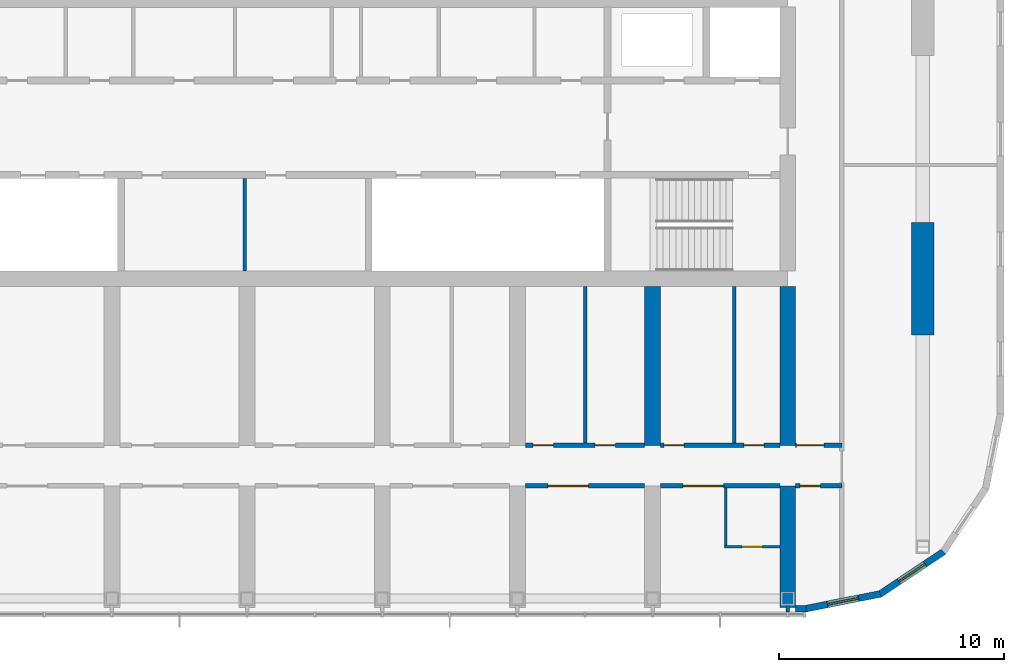
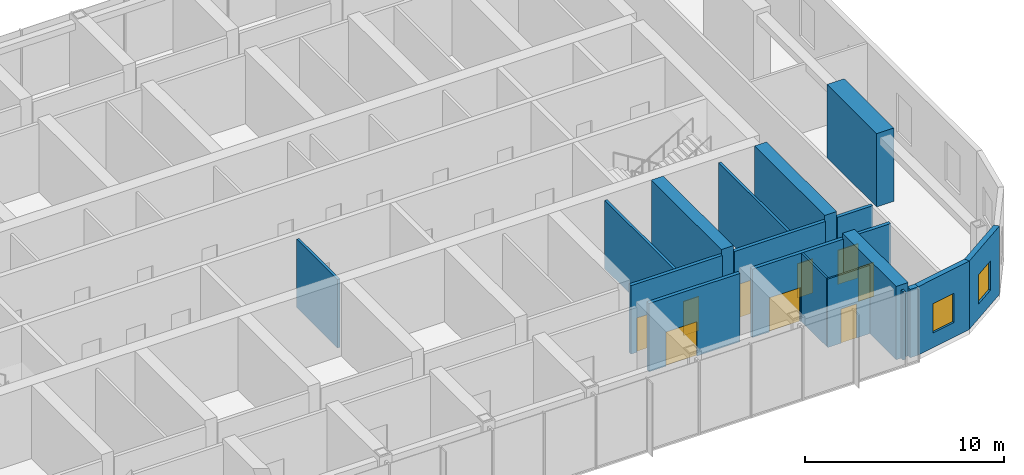
# One storey, part 12 of 21: 19 walls, 9 doors, 2 windows, 11 openings.
"""IFC4 building model written with IfcOpenShell, lengths in metres."""

from ifc_helpers import new_model, si_unit, direction, frame, frame_2d, origin, place, context, subcontext, project, spatial, polyline, rectangle, outline, extrude, material, layer, layer_set, type_object, element, fill, save


model = new_model("IFC4")

# Units and contexts
model_context = context("Model", 3, precision=1e-05, world=origin(), true_north=direction((0.0, 1.0)))
body_context = subcontext(model_context, "Body", "Model", "MODEL_VIEW")
ifc_project = project(units=[si_unit("LENGTHUNIT", "METRE"), si_unit("AREAUNIT", "SQUARE_METRE"), si_unit("VOLUMEUNIT", "CUBIC_METRE"), si_unit("PLANEANGLEUNIT", "RADIAN"), si_unit("MASSUNIT", "GRAM", prefix="KILO")], contexts=[model_context])

# Site, building, storey
site_placement = place(None, origin())
site = spatial("IfcSite", under=ifc_project, at=site_placement, CompositionType="ELEMENT")
building_placement = place(site_placement, origin())
building = spatial("IfcBuilding", under=site, at=building_placement, Name="Orbita Commons", CompositionType="ELEMENT")
storey_placement = place(building_placement, frame((0.0, 0.0, 257.800048828125)))
storey = spatial("IfcBuildingStorey", under=building, at=storey_placement, Name="L64", CompositionType="ELEMENT", Elevation=257.800048828125)

# Wall
ifc_material_1 = material(Name="Concrete blockwork", Category="masonry")
ifc_layer_1 = layer(ifc_material_1, 0.14990234375)
ifc_layer_set_1 = layer_set([ifc_layer_1], Name="Concrete blockwork")
wall_type_1 = type_object("IfcWallType", Name="Core partition 150 blockwork", PredefinedType="SOLIDWALL", material=ifc_layer_set_1)
wall_1_placement = place(storey_placement, frame((41.89990234375, 26.14990234375, 0.0), z_axis=(0.0, 0.0, 1.0), x_axis=(0.0, 1.0, 0.0)))
element("IfcWall", 1, at=wall_1_placement, inside=storey, type_object=wall_type_1, Name="Core partition 150 blockwork L64", PredefinedType="SOLIDWALL", context=body_context, shape_type="SweptSolid", body=[
    extrude(rectangle(XDim=4.10009765625, YDim=0.14990234375, at=frame_2d((2.050048828125, 0.0))), origin(), (0.0, 0.0, 1.0), 4.199951171875),
])

# Wall, opening, door
ifc_material_2 = material(Name="Concrete blockwork", Category="masonry")
ifc_layer_2 = layer(ifc_material_2, 0.199951171875)
ifc_layer_set_2 = layer_set([ifc_layer_2], Name="Concrete blockwork")
wall_type_2 = type_object("IfcWallType", Name="Corridor wall 200 blockwork", PredefinedType="SOLIDWALL", material=ifc_layer_set_2)
wall_2_placement = place(storey_placement, frame((54.35009765625, 16.60009765625, 0.0), z_axis=(0.0, 0.0, 1.0), x_axis=(1.0, 0.0, 0.0)))
wall_2 = element("IfcWall", 2, at=wall_2_placement, inside=storey, type_object=wall_type_2, Name="Corridor wall 200 blockwork L64", PredefinedType="SOLIDWALL", context=body_context, shape_type="SweptSolid", body=[
    extrude(rectangle(XDim=5.2998046875, YDim=0.199951171875, at=frame_2d((2.64990234375, 0.0))), origin(), (0.0, 0.0, 1.0), 4.199951171875),
])
opening_1_placement = place(wall_2_placement, frame((1.0, 0.0, 0.0)))
opening_1 = element("IfcOpeningElement", 3, at=opening_1_placement, cuts=wall_2, Name="Opening D07", PredefinedType="OPENING", context=body_context, shape_type="SweptSolid", body=[
    extrude(rectangle(XDim=1.800048828125, YDim=2.10009765625, at=frame_2d((0.89990234375, 1.050048828125))), frame((0.0, 0.10986328125, 0.0), z_axis=(0.0, -1.0, 0.0), x_axis=(1.0, 0.0, 0.0)), (0.0, 0.0, 1.0), 0.219970703125),
])
ifc_material_3 = material(Name="Steel-faced fire door leaf", Category="steel")
door_type_1 = type_object("IfcDoorType", Name="Double corridor door 20 min 1800x2100", OperationType="DOUBLE_DOOR_SINGLE_SWING", PredefinedType="DOOR", material=ifc_material_3)
door_1_placement = place(opening_1_placement, origin())
door_1 = element("IfcDoor", 4, at=door_1_placement, inside=storey, type_object=door_type_1, Name="Quiet study room L64-SF7 doors", OperationType="DOUBLE_DOOR_SINGLE_SWING", OverallHeight=2.10009765625, OverallWidth=1.800048828125, PredefinedType="DOOR", context=body_context, shape_type="SweptSolid", body=[
    extrude(rectangle(XDim=1.800048828125, YDim=2.10009765625, at=frame_2d((0.89990234375, 1.050048828125))), frame((0.0, 0.02490234375, 0.0), z_axis=(0.0, -1.0, 0.0), x_axis=(1.0, 0.0, 0.0)), (0.0, 0.0, 1.0), 0.050048828125),
])
fill(opening_1, door_1)

wall_3_placement = place(storey_placement, frame((60.35009765625, 16.60009765625, 0.0), z_axis=(0.0, 0.0, 1.0), x_axis=(1.0, 0.0, 0.0)))
wall_3 = element("IfcWall", 5, at=wall_3_placement, inside=storey, type_object=wall_type_2, Name="Corridor wall 200 blockwork L64", PredefinedType="SOLIDWALL", context=body_context, shape_type="SweptSolid", body=[
    extrude(rectangle(XDim=5.2998046875, YDim=0.199951171875, at=frame_2d((2.64990234375, 0.0))), origin(), (0.0, 0.0, 1.0), 4.199951171875),
])
opening_2_placement = place(wall_3_placement, frame((1.0, 0.0, 0.0)))
opening_2 = element("IfcOpeningElement", 6, at=opening_2_placement, cuts=wall_3, Name="Opening D07", PredefinedType="OPENING", context=body_context, shape_type="SweptSolid", body=[
    extrude(rectangle(XDim=1.800048828125, YDim=2.10009765625, at=frame_2d((0.89990234375, 1.050048828125))), frame((0.0, 0.10986328125, 0.0), z_axis=(0.0, -1.0, 0.0), x_axis=(1.0, 0.0, 0.0)), (0.0, 0.0, 1.0), 0.219970703125),
])
door_2_placement = place(opening_2_placement, origin())
door_2 = element("IfcDoor", 7, at=door_2_placement, inside=storey, type_object=door_type_1, Name="Map reading room L64-SF8 doors", OperationType="DOUBLE_DOOR_SINGLE_SWING", OverallHeight=2.10009765625, OverallWidth=1.800048828125, PredefinedType="DOOR", context=body_context, shape_type="SweptSolid", body=[
    extrude(rectangle(XDim=1.800048828125, YDim=2.10009765625, at=frame_2d((0.89990234375, 1.050048828125))), frame((0.0, 0.02490234375, 0.0), z_axis=(0.0, -1.0, 0.0), x_axis=(1.0, 0.0, 0.0)), (0.0, 0.0, 1.0), 0.050048828125),
])
fill(opening_2, door_2)

wall_4_placement = place(storey_placement, frame((66.35009765625, 16.60009765625, 0.0), z_axis=(0.0, 0.0, 1.0), x_axis=(1.0, 0.0, 0.0)))
wall_4 = element("IfcWall", 8, at=wall_4_placement, inside=storey, type_object=wall_type_2, Name="Corridor wall 200 blockwork L64", PredefinedType="SOLIDWALL", context=body_context, shape_type="SweptSolid", body=[
    extrude(rectangle(XDim=2.0498046875, YDim=0.199951171875, at=frame_2d((1.02490234375, 0.0))), origin(), (0.0, 0.0, 1.0), 4.199951171875),
])
opening_3_placement = place(wall_4_placement, frame((0.199951171875, 0.0, 0.0)))
opening_3 = element("IfcOpeningElement", 9, at=opening_3_placement, cuts=wall_4, Name="Opening D05", PredefinedType="OPENING", context=body_context, shape_type="SweptSolid", body=[
    extrude(rectangle(XDim=0.89990234375, YDim=2.10009765625, at=frame_2d((0.449951171875, 1.050048828125))), frame((0.0, 0.10986328125, 0.0), z_axis=(0.0, -1.0, 0.0), x_axis=(1.0, 0.0, 0.0)), (0.0, 0.0, 1.0), 0.219970703125),
])
ifc_material_4 = material(Name="Steel-faced fire door leaf", Category="steel")
door_type_2 = type_object("IfcDoorType", Name="Service door 20 min 900x2100", OperationType="SINGLE_SWING_LEFT", PredefinedType="DOOR", material=ifc_material_4)
door_3_placement = place(opening_3_placement, origin())
door_3 = element("IfcDoor", 10, at=door_3_placement, inside=storey, type_object=door_type_2, Name="Linen store L64-KES door", OperationType="SINGLE_SWING_LEFT", OverallHeight=2.10009765625, OverallWidth=0.89990234375, PredefinedType="DOOR", context=body_context, shape_type="SweptSolid", body=[
    extrude(rectangle(XDim=0.89990234375, YDim=2.10009765625, at=frame_2d((0.449951171875, 1.050048828125))), frame((0.0, 0.02490234375, 0.0), z_axis=(0.0, -1.0, 0.0), x_axis=(1.0, 0.0, 0.0)), (0.0, 0.0, 1.0), 0.050048828125),
])
fill(opening_3, door_3)

# Wall, openings, doors
ifc_material_5 = material(Name="Hollow concrete block 200", Category="concrete")
ifc_layer_3 = layer(ifc_material_5, 0.199951171875)
ifc_layer_set_3 = layer_set([ifc_layer_3], Name="Hollow concrete block 200")
wall_type_3 = type_object("IfcWallType", Name="Corridor wall 200 hollow concrete block", PredefinedType="SOLIDWALL", material=ifc_layer_set_3)
wall_5_placement = place(storey_placement, frame((54.35009765625, 18.39990234375, 0.0), z_axis=(0.0, 0.0, 1.0), x_axis=(1.0, 0.0, 0.0)))
wall_5 = element("IfcWall", 11, at=wall_5_placement, inside=storey, type_object=wall_type_3, Name="Corridor wall 200 hollow concrete block L64", PredefinedType="SOLIDWALL", context=body_context, shape_type="SweptSolid", body=[
    extrude(rectangle(XDim=5.2998046875, YDim=0.199951171875, at=frame_2d((2.64990234375, 0.0))), origin(), (0.0, 0.0, 1.0), 4.199951171875),
])
opening_4_placement = place(wall_5_placement, frame((0.35009765625, 0.0, 0.0)))
opening_4 = element("IfcOpeningElement", 12, at=opening_4_placement, cuts=wall_5, Name="Opening D11", PredefinedType="OPENING", context=body_context, shape_type="SweptSolid", body=[
    extrude(rectangle(XDim=0.89990234375, YDim=2.10009765625, at=frame_2d((0.449951171875, 1.050048828125))), frame((0.0, 0.10986328125, 0.0), z_axis=(0.0, -1.0, 0.0), x_axis=(1.0, 0.0, 0.0)), (0.0, 0.0, 1.0), 0.219970703125),
])
opening_5_placement = place(wall_5_placement, frame((3.094970703125, 0.0, 0.0)))
opening_5 = element("IfcOpeningElement", 13, at=opening_5_placement, cuts=wall_5, Name="Opening D11", PredefinedType="OPENING", context=body_context, shape_type="SweptSolid", body=[
    extrude(rectangle(XDim=0.89990234375, YDim=2.10009765625, at=frame_2d((0.449951171875, 1.050048828125))), frame((0.0, 0.10986328125, 0.0), z_axis=(0.0, -1.0, 0.0), x_axis=(1.0, 0.0, 0.0)), (0.0, 0.0, 1.0), 0.219970703125),
])
ifc_material_6 = material(Name="Steel-faced fire door leaf", Category="steel")
door_type_3 = type_object("IfcDoorType", Name="Corridor door 20 min 900x2100", OperationType="SINGLE_SWING_LEFT", PredefinedType="DOOR", material=ifc_material_6)
door_4_placement = place(opening_4_placement, origin())
door_4 = element("IfcDoor", 14, at=door_4_placement, inside=storey, type_object=door_type_3, Name="Sprinkler valve room L64-BDS54n door", OperationType="SINGLE_SWING_LEFT", OverallHeight=2.10009765625, OverallWidth=0.89990234375, PredefinedType="DOOR", context=body_context, shape_type="SweptSolid", body=[
    extrude(rectangle(XDim=0.89990234375, YDim=2.10009765625, at=frame_2d((0.449951171875, 1.050048828125))), frame((0.0, 0.02490234375, 0.0), z_axis=(0.0, -1.0, 0.0), x_axis=(1.0, 0.0, 0.0)), (0.0, 0.0, 1.0), 0.050048828125),
])
fill(opening_4, door_4)
door_5_placement = place(opening_5_placement, origin())
door_5 = element("IfcDoor", 15, at=door_5_placement, inside=storey, type_object=door_type_3, Name="Public toilets L64-BDS54 door", OperationType="SINGLE_SWING_LEFT", OverallHeight=2.10009765625, OverallWidth=0.89990234375, PredefinedType="DOOR", context=body_context, shape_type="SweptSolid", body=[
    extrude(rectangle(XDim=0.89990234375, YDim=2.10009765625, at=frame_2d((0.449951171875, 1.050048828125))), frame((0.0, 0.02490234375, 0.0), z_axis=(0.0, -1.0, 0.0), x_axis=(1.0, 0.0, 0.0)), (0.0, 0.0, 1.0), 0.050048828125),
])
fill(opening_5, door_5)

wall_6_placement = place(storey_placement, frame((60.35009765625, 18.39990234375, 0.0), z_axis=(0.0, 0.0, 1.0), x_axis=(1.0, 0.0, 0.0)))
wall_6 = element("IfcWall", 16, at=wall_6_placement, inside=storey, type_object=wall_type_3, Name="Corridor wall 200 hollow concrete block L64", PredefinedType="SOLIDWALL", context=body_context, shape_type="SweptSolid", body=[
    extrude(rectangle(XDim=5.2998046875, YDim=0.199951171875, at=frame_2d((2.64990234375, 0.0))), origin(), (0.0, 0.0, 1.0), 4.199951171875),
])
opening_6_placement = place(wall_6_placement, frame((0.14990234375, 0.0, 0.0)))
opening_6 = element("IfcOpeningElement", 17, at=opening_6_placement, cuts=wall_6, Name="Opening D11", PredefinedType="OPENING", context=body_context, shape_type="SweptSolid", body=[
    extrude(rectangle(XDim=0.89990234375, YDim=2.10009765625, at=frame_2d((0.449951171875, 1.050048828125))), frame((0.0, 0.10986328125, 0.0), z_axis=(0.0, -1.0, 0.0), x_axis=(1.0, 0.0, 0.0)), (0.0, 0.0, 1.0), 0.219970703125),
])
opening_7_placement = place(wall_6_placement, frame((3.705078125, 0.0, 0.0)))
opening_7 = element("IfcOpeningElement", 18, at=opening_7_placement, cuts=wall_6, Name="Opening D11", PredefinedType="OPENING", context=body_context, shape_type="SweptSolid", body=[
    extrude(rectangle(XDim=0.89990234375, YDim=2.10009765625, at=frame_2d((0.449951171875, 1.050048828125))), frame((0.0, 0.10986328125, 0.0), z_axis=(0.0, -1.0, 0.0), x_axis=(1.0, 0.0, 0.0)), (0.0, 0.0, 1.0), 0.219970703125),
])
door_6_placement = place(opening_6_placement, origin())
door_6 = element("IfcDoor", 19, at=door_6_placement, inside=storey, type_object=door_type_3, Name="Research materials store L64-BDS60 door", OperationType="SINGLE_SWING_LEFT", OverallHeight=2.10009765625, OverallWidth=0.89990234375, PredefinedType="DOOR", context=body_context, shape_type="SweptSolid", body=[
    extrude(rectangle(XDim=0.89990234375, YDim=2.10009765625, at=frame_2d((0.449951171875, 1.050048828125))), frame((0.0, 0.02490234375, 0.0), z_axis=(0.0, -1.0, 0.0), x_axis=(1.0, 0.0, 0.0)), (0.0, 0.0, 1.0), 0.050048828125),
])
fill(opening_6, door_6)
door_7_placement = place(opening_7_placement, origin())
door_7 = element("IfcDoor", 20, at=door_7_placement, inside=storey, type_object=door_type_3, Name="Water heater cupboard L64-BDS60n door", OperationType="SINGLE_SWING_LEFT", OverallHeight=2.10009765625, OverallWidth=0.89990234375, PredefinedType="DOOR", context=body_context, shape_type="SweptSolid", body=[
    extrude(rectangle(XDim=0.89990234375, YDim=2.10009765625, at=frame_2d((0.449951171875, 1.050048828125))), frame((0.0, 0.02490234375, 0.0), z_axis=(0.0, -1.0, 0.0), x_axis=(1.0, 0.0, 0.0)), (0.0, 0.0, 1.0), 0.050048828125),
])
fill(opening_7, door_7)

# Wall, opening, door
wall_7_placement = place(storey_placement, frame((66.35009765625, 18.39990234375, 0.0), z_axis=(0.0, 0.0, 1.0), x_axis=(1.0, 0.0, 0.0)))
wall_7 = element("IfcWall", 21, at=wall_7_placement, inside=storey, type_object=wall_type_3, Name="Corridor wall 200 hollow concrete block L64", PredefinedType="SOLIDWALL", context=body_context, shape_type="SweptSolid", body=[
    extrude(rectangle(XDim=2.0498046875, YDim=0.199951171875, at=frame_2d((1.02490234375, 0.0))), origin(), (0.0, 0.0, 1.0), 4.199951171875),
])
opening_8_placement = place(wall_7_placement, frame((0.050048828125, 0.0, 0.0)))
opening_8 = element("IfcOpeningElement", 22, at=opening_8_placement, cuts=wall_7, Name="Opening D12", PredefinedType="OPENING", context=body_context, shape_type="SweptSolid", body=[
    extrude(rectangle(XDim=1.199951171875, YDim=2.10009765625, at=frame_2d((0.60009765625, 1.050048828125))), frame((0.0, 0.10986328125, 0.0), z_axis=(0.0, -1.0, 0.0), x_axis=(1.0, 0.0, 0.0)), (0.0, 0.0, 1.0), 0.219970703125),
])
ifc_material_7 = material(Name="Steel-faced fire door leaf", Category="steel")
door_type_4 = type_object("IfcDoorType", Name="Double corridor door 20 min 1200x2100", OperationType="DOUBLE_DOOR_SINGLE_SWING", PredefinedType="DOOR", material=ifc_material_7)
door_8_placement = place(opening_8_placement, origin())
door_8 = element("IfcDoor", 23, at=door_8_placement, inside=storey, type_object=door_type_4, Name="Cross corridor doors", OperationType="DOUBLE_DOOR_SINGLE_SWING", OverallHeight=2.10009765625, OverallWidth=1.199951171875, PredefinedType="DOOR", context=body_context, shape_type="SweptSolid", body=[
    extrude(rectangle(XDim=1.199951171875, YDim=2.10009765625, at=frame_2d((0.60009765625, 1.050048828125))), frame((0.0, 0.02490234375, 0.0), z_axis=(0.0, -1.0, 0.0), x_axis=(1.0, 0.0, 0.0)), (0.0, 0.0, 1.0), 0.050048828125),
])
fill(opening_8, door_8)

# Walls
ifc_material_8 = material(Name="Concrete C50/60", Category="concrete")
ifc_layer_4 = layer(ifc_material_8, 0.699951171875)
ifc_layer_set_4 = layer_set([ifc_layer_4], Name="Concrete C50/60")
wall_type_4 = type_object("IfcWallType", Name="Cross wall 700 C50/60", PredefinedType="SHEAR", material=ifc_layer_set_4)
wall_8_placement = place(storey_placement, frame((60.0, 18.39990234375, 0.0), z_axis=(0.0, 0.0, 1.0), x_axis=(0.0, 1.0, 0.0)))
element("IfcWall", 24, at=wall_8_placement, inside=storey, type_object=wall_type_4, Name="Cross wall 11 south inner L64", PredefinedType="SHEAR", context=body_context, shape_type="SweptSolid", body=[
    extrude(rectangle(XDim=7.050048828125, YDim=0.699951171875, at=frame_2d((3.52490234375, 0.0))), origin(), (0.0, 0.0, 1.0), 4.5),
])
wall_9_placement = place(storey_placement, frame((66.0, 11.199951171875, 0.0), z_axis=(0.0, 0.0, 1.0), x_axis=(0.0, 1.0, 0.0)))
element("IfcWall", 25, at=wall_9_placement, inside=storey, type_object=wall_type_4, Name="Cross wall 12 south outer L64", PredefinedType="SHEAR", context=body_context, shape_type="SweptSolid", body=[
    extrude(rectangle(XDim=5.400146484375, YDim=0.699951171875, at=frame_2d((2.7001953125, 0.0))), origin(), (0.0, 0.0, 1.0), 4.5),
])
wall_10_placement = place(storey_placement, frame((66.0, 18.39990234375, 0.0), z_axis=(0.0, 0.0, 1.0), x_axis=(0.0, 1.0, 0.0)))
element("IfcWall", 26, at=wall_10_placement, inside=storey, type_object=wall_type_4, Name="Cross wall 12 south inner L64", PredefinedType="SHEAR", context=body_context, shape_type="SweptSolid", body=[
    extrude(rectangle(XDim=7.050048828125, YDim=0.699951171875, at=frame_2d((3.52490234375, 0.0))), origin(), (0.0, 0.0, 1.0), 4.5),
])

# Wall, opening, door
ifc_material_9 = material(Name="Moisture-resistant plasterboard on steel studs", Category="steel")
ifc_layer_5 = layer(ifc_material_9, 0.10009765625)
ifc_layer_set_5 = layer_set([ifc_layer_5], Name="Moisture-resistant plasterboard on steel studs")
wall_type_5 = type_object("IfcWallType", Name="En-suite partition 100", PredefinedType="PARTITIONING", material=ifc_layer_set_5)
wall_11_placement = place(storey_placement, frame((65.64990234375, 13.89990234375, 0.0), z_axis=(0.0, 0.0, 1.0), x_axis=(-1.0, 0.0, 0.0)))
wall_11 = element("IfcWall", 27, at=wall_11_placement, inside=storey, type_object=wall_type_5, Name="En-suite partition 100 L64", PredefinedType="PARTITIONING", context=body_context, shape_type="SweptSolid", body=[
    extrude(rectangle(XDim=2.449951171875, YDim=0.10009765625, at=frame_2d((1.22509765625, 0.0))), origin(), (0.0, 0.0, 1.0), 4.199951171875),
])
opening_9_placement = place(wall_11_placement, frame((0.77490234375, 0.0, 0.0)))
opening_9 = element("IfcOpeningElement", 28, at=opening_9_placement, cuts=wall_11, Name="Opening D09", PredefinedType="OPENING", context=body_context, shape_type="SweptSolid", body=[
    extrude(rectangle(XDim=0.89990234375, YDim=2.10009765625, at=frame_2d((0.449951171875, 1.050048828125))), frame((0.0, 0.06005859375, 0.0), z_axis=(0.0, -1.0, 0.0), x_axis=(1.0, 0.0, 0.0)), (0.0, 0.0, 1.0), 0.1201171875),
])
ifc_material_10 = material(Name="Laminated timber door leaf", Category="wood")
door_type_5 = type_object("IfcDoorType", Name="En-suite door 900x2100", OperationType="SINGLE_SWING_RIGHT", PredefinedType="DOOR", material=ifc_material_10)
door_9_placement = place(opening_9_placement, origin())
door_9 = element("IfcDoor", 29, at=door_9_placement, inside=storey, type_object=door_type_5, Name="Book store L64-SF8 door", OperationType="SINGLE_SWING_RIGHT", OverallHeight=2.10009765625, OverallWidth=0.89990234375, PredefinedType="DOOR", context=body_context, shape_type="SweptSolid", body=[
    extrude(rectangle(XDim=0.89990234375, YDim=2.10009765625, at=frame_2d((0.449951171875, 1.050048828125))), frame((0.0, 0.02490234375, 0.0), z_axis=(0.0, -1.0, 0.0), x_axis=(1.0, 0.0, 0.0)), (0.0, 0.0, 1.0), 0.050048828125),
])
fill(opening_9, door_9)

# Walls
wall_12_placement = place(storey_placement, frame((63.25, 13.949951171875, 0.0), z_axis=(0.0, 0.0, 1.0), x_axis=(0.0, 1.0, 0.0)))
element("IfcWall", 30, at=wall_12_placement, inside=storey, type_object=wall_type_5, Name="En-suite partition 100 L64", PredefinedType="PARTITIONING", context=body_context, shape_type="SweptSolid", body=[
    extrude(rectangle(XDim=2.550048828125, YDim=0.10009765625, at=frame_2d((1.27490234375, 0.0))), origin(), (0.0, 0.0, 1.0), 4.199951171875),
])
ifc_material_11 = material(Name="Concrete C50/60", Category="concrete")
ifc_layer_6 = layer(ifc_material_11, 1.0)
ifc_layer_set_6 = layer_set([ifc_layer_6], Name="Concrete C50/60")
wall_type_6 = type_object("IfcWallType", Name="End pier 1000x5000 C50/60", PredefinedType="SHEAR", material=ifc_layer_set_6)
wall_13_placement = place(storey_placement, frame((72.0, 23.300048828125, 0.0), z_axis=(0.0, 0.0, 1.0), x_axis=(0.0, 1.0, 0.0)))
element("IfcWall", 31, at=wall_13_placement, inside=storey, type_object=wall_type_6, Name="End pier 13/C L64", PredefinedType="SHEAR", context=body_context, shape_type="SweptSolid", body=[
    extrude(rectangle(XDim=5.0, YDim=1.0, at=frame_2d((2.5, 0.0))), origin(), (0.0, 0.0, 1.0), 4.5),
])
ifc_material_12 = material(Name="Gypsum plasterboard on steel studs", Category="steel")
ifc_layer_7 = layer(ifc_material_12, 0.14990234375)
ifc_layer_set_7 = layer_set([ifc_layer_7], Name="Gypsum plasterboard on steel studs")
wall_type_7 = type_object("IfcWallType", Name="Partition 150 plasterboard", PredefinedType="PARTITIONING", material=ifc_layer_set_7)
for number, where, z_axis, x_axis, name in (
    (32, (57.02001953125, 18.5, 0.0), (0.0, 0.0, 1.0), (0.0, 1.0, 0.0), "Partition 150 plasterboard L64"),
    (33, (63.6298828125, 18.5, 0.0), (0.0, 0.0, 1.0), (0.0, 1.0, 0.0), "Partition 150 plasterboard L64"),
):
    element("IfcWall", number, at=place(storey_placement, frame(where, z_axis=z_axis, x_axis=x_axis)), inside=storey, type_object=wall_type_7, Name=name, PredefinedType="PARTITIONING", context=body_context, shape_type="SweptSolid", body=[
        extrude(rectangle(XDim=6.949951171875, YDim=0.14990234375, at=frame_2d((3.47509765625, 0.0))), origin(), (0.0, 0.0, 1.0), 4.199951171875),
    ])
wall_14_placement = place(storey_placement, frame((66.0, 11.300048828125, 0.0), z_axis=(0.0, 0.0, 1.0), x_axis=(0.0, -1.0, 0.0)))
element("IfcWall", 34, at=wall_14_placement, inside=storey, type_object=wall_type_7, Name="Partition 150 plasterboard L64", PredefinedType="PARTITIONING", context=body_context, shape_type="SweptSolid", body=[
    extrude(rectangle(XDim=0.2900390625, YDim=0.14990234375, at=frame_2d((0.14501953125, 0.0))), origin(), (0.0, 0.0, 1.0), 4.199951171875),
])

# Wall, opening, window
ifc_material_13 = material(Name="Precast concrete C40/50, white board-marked finish", Category="concrete")
ifc_layer_8 = layer(ifc_material_13, 0.300048828125)
ifc_layer_set_8 = layer_set([ifc_layer_8], Name="Precast concrete C40/50, white board-marked finish")
wall_type_8 = type_object("IfcWallType", Name="Precast concrete end shield 300", PredefinedType="SOLIDWALL", material=ifc_layer_set_8)
wall_15_placement = place(storey_placement, frame((66.800048828125, 11.14990234375, 0.0), z_axis=(0.0, 0.0, 1.0), x_axis=(0.98078325777, 0.195100490205, 0.0)))
wall_15 = element("IfcWall", 35, at=wall_15_placement, inside=storey, type_object=wall_type_8, Name="End shield SE chord 1 L64", PredefinedType="SOLIDWALL", context=body_context, shape_type="SweptSolid", body=[
    extrude(outline(polyline([(-0.02978515625, -0.14990234375), (3.40478515625, -0.14990234375), (3.34521484375, 0.14990234375), (0.02978515625, 0.14990234375), (-0.02978515625, -0.14990234375)])), origin(), (0.0, 0.0, 1.0), 4.199951171875),
])
opening_10_placement = place(wall_15_placement, frame((0.987548828125, 0.0, 0.89990234375)))
opening_10 = element("IfcOpeningElement", 36, at=opening_10_placement, cuts=wall_15, Name="Opening W02", PredefinedType="OPENING", context=body_context, shape_type="SweptSolid", body=[
    extrude(rectangle(XDim=1.39990234375, YDim=1.800048828125, at=frame_2d((0.699951171875, 0.89990234375))), frame((0.0, 0.159912109375, 0.0), z_axis=(0.0, -1.0, 0.0), x_axis=(1.0, 0.0, 0.0)), (0.0, 0.0, 1.0), 0.320068359375),
])
ifc_material_14 = material(Name="Aluminium frame, clear double glazing", Category="aluminium")
window_type = type_object("IfcWindowType", Name="Deep-set window 1400x1800", PartitioningType="SINGLE_PANEL", PredefinedType="WINDOW", material=ifc_material_14)
window_1_placement = place(opening_10_placement, origin())
window_1 = element("IfcWindow", 37, at=window_1_placement, inside=storey, type_object=window_type, Name="Window L64-SE0", OverallHeight=1.800048828125, OverallWidth=1.39990234375, PartitioningType="SINGLE_PANEL", PredefinedType="WINDOW", context=body_context, shape_type="SweptSolid", body=[
    extrude(rectangle(XDim=1.39990234375, YDim=1.800048828125, at=frame_2d((0.699951171875, 0.89990234375))), frame((0.0, 0.030029296875, 0.0), z_axis=(0.0, -1.0, 0.0), x_axis=(1.0, 0.0, 0.0)), (0.0, 0.0, 1.0), 0.06005859375),
])
fill(opening_10, window_1)

wall_16_placement = place(storey_placement, frame((70.110107421875, 11.808349609375, 0.0), z_axis=(0.0, 0.0, 1.0), x_axis=(0.831460037396, 0.555584562613, 0.0)))
wall_16 = element("IfcWall", 38, at=wall_16_placement, inside=storey, type_object=wall_type_8, Name="End shield SE chord 2 L64", PredefinedType="SOLIDWALL", context=body_context, shape_type="SweptSolid", body=[
    extrude(outline(polyline([(-0.02978515625, -0.14990234375), (3.405029296875, -0.14990234375), (3.345458984375, 0.14990234375), (0.02978515625, 0.14990234375), (-0.02978515625, -0.14990234375)])), origin(), (0.0, 0.0, 1.0), 4.199951171875),
])
opening_11_placement = place(wall_16_placement, frame((0.987548828125, 0.0, 0.89990234375)))
opening_11 = element("IfcOpeningElement", 39, at=opening_11_placement, cuts=wall_16, Name="Opening W02", PredefinedType="OPENING", context=body_context, shape_type="SweptSolid", body=[
    extrude(rectangle(XDim=1.39990234375, YDim=1.800048828125, at=frame_2d((0.699951171875, 0.89990234375))), frame((0.0, 0.159912109375, 0.0), z_axis=(0.0, -1.0, 0.0), x_axis=(1.0, 0.0, 0.0)), (0.0, 0.0, 1.0), 0.320068359375),
])
window_2_placement = place(opening_11_placement, origin())
window_2 = element("IfcWindow", 40, at=window_2_placement, inside=storey, type_object=window_type, Name="Window L64-SE1", OverallHeight=1.800048828125, OverallWidth=1.39990234375, PartitioningType="SINGLE_PANEL", PredefinedType="WINDOW", context=body_context, shape_type="SweptSolid", body=[
    extrude(rectangle(XDim=1.39990234375, YDim=1.800048828125, at=frame_2d((0.699951171875, 0.89990234375))), frame((0.0, 0.030029296875, 0.0), z_axis=(0.0, -1.0, 0.0), x_axis=(1.0, 0.0, 0.0)), (0.0, 0.0, 1.0), 0.06005859375),
])
fill(opening_11, window_2)

# Wall
wall_17_placement = place(storey_placement, frame((66.800048828125, 11.14990234375, 0.0), z_axis=(0.0, 0.0, 1.0), x_axis=(-1.0, 0.0, 0.0)))
element("IfcWall", 41, at=wall_17_placement, inside=storey, type_object=wall_type_8, Name="End shield SE closer L64", PredefinedType="SOLIDWALL", context=body_context, shape_type="SweptSolid", body=[
    extrude(rectangle(XDim=0.449951171875, YDim=0.300048828125, at=frame_2d((0.22509765625, 0.0))), origin(), (0.0, 0.0, 1.0), 4.199951171875),
])

save(model, "model.ifc")
